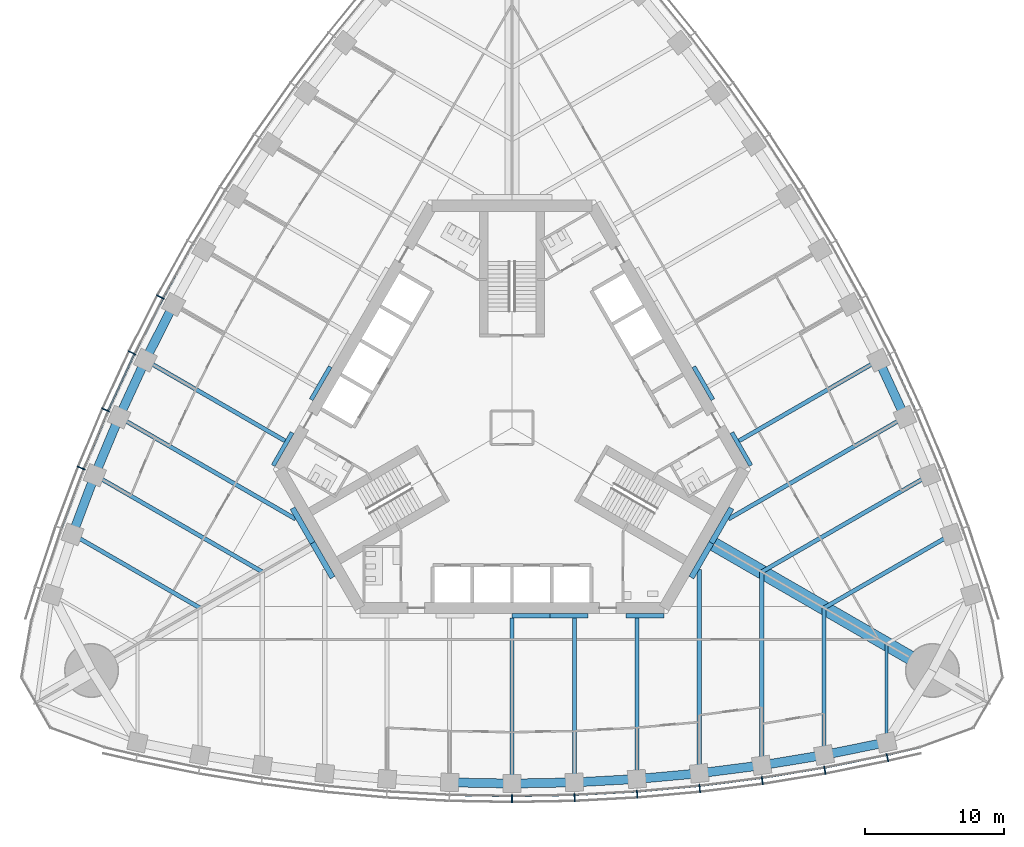
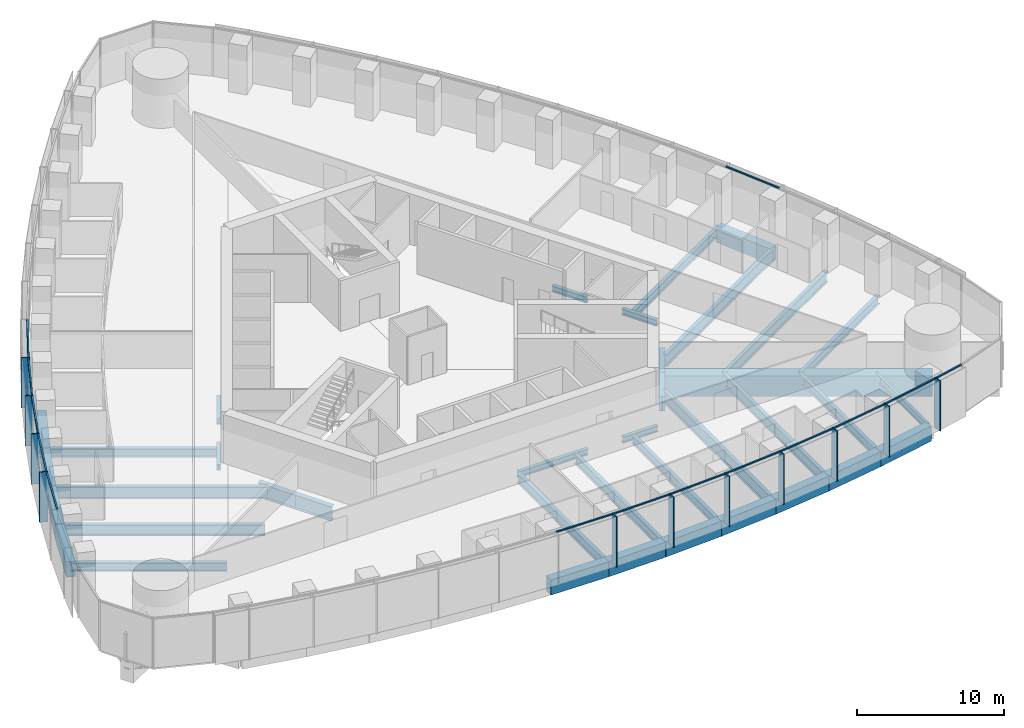
# One storey, part 3 of 19: 39 beams, 25 members, 3 elements without a shape of their own.
"""IFC4 building model written with IfcOpenShell, lengths in metres."""

from ifc_helpers import new_model, si_unit, direction, frame, origin, origin_2d, place, context, subcontext, project, spatial, rectangle, i_section, extrude, material, material_profile, profile_set, type_object, element, aggregate, save


model = new_model("IFC4")

# Units and contexts
model_context = context("Model", 3, precision=1e-05, world=origin(), true_north=direction((0.0, 1.0)))
body_context = subcontext(model_context, "Body", "Model", "MODEL_VIEW")
ifc_project = project(units=[si_unit("LENGTHUNIT", "METRE"), si_unit("AREAUNIT", "SQUARE_METRE"), si_unit("VOLUMEUNIT", "CUBIC_METRE"), si_unit("PLANEANGLEUNIT", "RADIAN"), si_unit("MASSUNIT", "GRAM", prefix="KILO")], contexts=[model_context])

# Site, building, storey
site_placement = place(None, origin())
site = spatial("IfcSite", under=ifc_project, at=site_placement, CompositionType="ELEMENT")
building_placement = place(site_placement, origin())
building = spatial("IfcBuilding", under=site, at=building_placement, Name="Trefoil Bronze Tower", CompositionType="ELEMENT")
storey_placement = place(building_placement, frame((0.0, 0.0, 132.5)))
storey = spatial("IfcBuildingStorey", under=building, at=storey_placement, Name="L30", CompositionType="ELEMENT", Elevation=132.5)

# Curtain wall, members
ifc_material_1 = material(Name="Tinted solar-control glass", Category="glass")
curtain_wall_type = type_object("IfcCurtainWallType", Name="Bronze office curtain wall", PredefinedType="USERDEFINED", material=ifc_material_1)
curtain_wall_1_placement = place(storey_placement, origin())
curtain_wall_1 = element("IfcCurtainWall", 1, at=curtain_wall_1_placement, inside=storey, type_object=curtain_wall_type, Name="CW-A L30 F1", ObjectType="CURTAIN WALL", PredefinedType="USERDEFINED")
ifc_material_2 = material(Name="Bronze-finish aluminium", Category="aluminium")
ifc_material_profile_1 = material_profile(ifc_material_2, rectangle(XDim=0.60009765625, YDim=0.080078125, at=origin_2d()), Name="CW-A mullion")
ifc_profile_set_1 = profile_set([ifc_material_profile_1], Name="Bronze-finish aluminium")
member_type_1 = type_object("IfcMemberType", Name="Bronze office curtain wall mullion", PredefinedType="MULLION", material=ifc_profile_set_1)
member_1_placement = place(storey_placement, frame((0.0, -26.749755859375, 0.0), z_axis=(0.0, 0.0, 1.0), x_axis=(0.0, 1.0, 0.0)))
member_1 = element("IfcMember", 2, at=member_1_placement, type_object=member_type_1, Name="CW-A L30 F1 mullion 8", PredefinedType="MULLION", context=body_context, shape_type="SweptSolid", body=[
    extrude(rectangle(XDim=0.60009765625, YDim=0.080078125, at=origin_2d()), origin(), (0.0, 0.0, 1.0), 4.179931640625),
])
member_2_placement = place(storey_placement, frame((4.5107421875, -26.66845703125, 0.0), z_axis=(0.0, 0.0, 1.0), x_axis=(-0.036047792107, 0.999350067136, 0.0)))
member_2 = element("IfcMember", 3, at=member_2_placement, type_object=member_type_1, Name="CW-A L30 F1 mullion 9", PredefinedType="MULLION", context=body_context, shape_type="SweptSolid", body=[
    extrude(rectangle(XDim=0.60009765625, YDim=0.080078125, at=origin_2d()), origin(), (0.0, 0.0, 1.0), 4.179931640625),
])
member_3_placement = place(storey_placement, frame((9.021728515625, -26.424072265625, 0.0), z_axis=(0.0, 0.0, 1.0), x_axis=(-0.072095676284, 0.997397720802, 0.0)))
member_3 = element("IfcMember", 4, at=member_3_placement, type_object=member_type_1, Name="CW-A L30 F1 mullion 10", PredefinedType="MULLION", context=body_context, shape_type="SweptSolid", body=[
    extrude(rectangle(XDim=0.60009765625, YDim=0.080078125, at=origin_2d()), origin(), (0.0, 0.0, 1.0), 4.179931640625),
])
member_4_placement = place(storey_placement, frame((13.532470703125, -26.01611328125, 0.0), z_axis=(0.0, 0.0, 1.0), x_axis=(-0.108143747013, 0.994135267447, 0.0)))
member_4 = element("IfcMember", 5, at=member_4_placement, type_object=member_type_1, Name="CW-A L30 F1 mullion 11", PredefinedType="MULLION", context=body_context, shape_type="SweptSolid", body=[
    extrude(rectangle(XDim=0.60009765625, YDim=0.080078125, at=origin_2d()), origin(), (0.0, 0.0, 1.0), 4.179931640625),
])
member_5_placement = place(storey_placement, frame((18.043212890625, -25.4423828125, 0.0), z_axis=(0.0, 0.0, 1.0), x_axis=(-0.144192103798, 0.989549714366, 0.0)))
member_5 = element("IfcMember", 6, at=member_5_placement, type_object=member_type_1, Name="CW-A L30 F1 mullion 12", PredefinedType="MULLION", context=body_context, shape_type="SweptSolid", body=[
    extrude(rectangle(XDim=0.60009765625, YDim=0.080078125, at=origin_2d()), origin(), (0.0, 0.0, 1.0), 4.179931640625),
])
member_6_placement = place(storey_placement, frame((22.553955078125, -24.700927734375, 0.0), z_axis=(0.0, 0.0, 1.0), x_axis=(-0.180240853954, 0.98362250613, 0.0)))
member_6 = element("IfcMember", 7, at=member_6_placement, type_object=member_type_1, Name="CW-A L30 F1 mullion 13", PredefinedType="MULLION", context=body_context, shape_type="SweptSolid", body=[
    extrude(rectangle(XDim=0.60009765625, YDim=0.080078125, at=origin_2d()), origin(), (0.0, 0.0, 1.0), 4.179931640625),
])
member_7_placement = place(storey_placement, frame((27.0634765625, -23.7890625, 0.0), z_axis=(0.0, 0.0, 1.0), x_axis=(-0.21197042503, 0.977276081214, 0.0)))
member_7 = element("IfcMember", 8, at=member_7_placement, type_object=member_type_1, Name="CW-A L30 F1 mullion 14", PredefinedType="MULLION", context=body_context, shape_type="SweptSolid", body=[
    extrude(rectangle(XDim=0.60009765625, YDim=0.080078125, at=origin_2d()), origin(), (0.0, 0.0, 1.0), 4.179931640625),
])

curtain_wall_2_placement = place(storey_placement, origin())
curtain_wall_2 = element("IfcCurtainWall", 9, at=curtain_wall_2_placement, inside=storey, type_object=curtain_wall_type, Name="CW-A L30 F3", ObjectType="CURTAIN WALL", PredefinedType="USERDEFINED")
member_8_placement = place(storey_placement, frame((-25.350830078125, 9.427734375, 0.0), z_axis=(0.0, 0.0, 1.0), x_axis=(0.883486441467, -0.468456729853, 0.0)))
member_8 = element("IfcMember", 10, at=member_8_placement, type_object=member_type_1, Name="CW-A L30 F3 mullion 9", PredefinedType="MULLION", context=body_context, shape_type="SweptSolid", body=[
    extrude(rectangle(XDim=0.60009765625, YDim=0.080078125, at=origin_2d()), origin(), (0.0, 0.0, 1.0), 4.179931640625),
])
member_9_placement = place(storey_placement, frame((-27.394775390625, 5.399169921875, 0.0), z_axis=(0.0, 0.0, 1.0), x_axis=(0.899819602033, -0.436262173236, 0.0)))
member_9 = element("IfcMember", 11, at=member_9_placement, type_object=member_type_1, Name="CW-A L30 F3 mullion 10", PredefinedType="MULLION", context=body_context, shape_type="SweptSolid", body=[
    extrude(rectangle(XDim=0.60009765625, YDim=0.080078125, at=origin_2d()), origin(), (0.0, 0.0, 1.0), 4.179931640625),
])
member_10_placement = place(storey_placement, frame((-29.296875, 1.28857421875, 0.0), z_axis=(0.0, 0.0, 1.0), x_axis=(0.915018269914, -0.40341240155, 0.0)))
member_10 = element("IfcMember", 12, at=member_10_placement, type_object=member_type_1, Name="CW-A L30 F3 mullion 11", PredefinedType="MULLION", context=body_context, shape_type="SweptSolid", body=[
    extrude(rectangle(XDim=0.60009765625, YDim=0.080078125, at=origin_2d()), origin(), (0.0, 0.0, 1.0), 4.179931640625),
])
member_11_placement = place(storey_placement, frame((-31.055419921875, -2.90478515625, 0.0), z_axis=(0.0, 0.0, 1.0), x_axis=(0.929071242848, -0.369900832269, 0.0)))
member_11 = element("IfcMember", 13, at=member_11_placement, type_object=member_type_1, Name="CW-A L30 F3 mullion 12", PredefinedType="MULLION", context=body_context, shape_type="SweptSolid", body=[
    extrude(rectangle(XDim=0.60009765625, YDim=0.080078125, at=origin_2d()), origin(), (0.0, 0.0, 1.0), 4.179931640625),
])

# Member
ifc_material_3 = material(Name="Bronze-finish aluminium", Category="aluminium")
ifc_material_profile_2 = material_profile(ifc_material_3, rectangle(XDim=0.1201171875, YDim=0.10009765625, at=origin_2d()), Name="CW-A transom")
ifc_profile_set_2 = profile_set([ifc_material_profile_2], Name="Bronze-finish aluminium")
member_type_2 = type_object("IfcMemberType", Name="Bronze office curtain wall transom", PredefinedType="USERDEFINED", material=ifc_profile_set_2)
member_12_placement = place(storey_placement, frame((-4.4619140625, -26.46923828125, 4.1298828125), z_axis=(0.999837930028, -0.018003157426, 0.0), x_axis=(0.018003157426, 0.999837930028, 0.0)))
member_12 = element("IfcMember", 14, at=member_12_placement, type_object=member_type_2, Name="CW-A L30 F1 transom 7", ObjectType="TRANSOM", PredefinedType="USERDEFINED", context=body_context, shape_type="SweptSolid", body=[
    extrude(rectangle(XDim=0.1201171875, YDim=0.10009765625, at=origin_2d()), origin(), (0.0, 0.0, 1.0), 4.4208984375),
])

member_13_placement = place(storey_placement, frame((0.041748046875, -26.548828125, 4.1298828125), z_axis=(0.999837930028, 0.018003157426, 0.0), x_axis=(-0.018003157426, 0.999837930028, 0.0)))
member_13 = element("IfcMember", 15, at=member_13_placement, type_object=member_type_2, Name="CW-A L30 F1 transom 8", ObjectType="TRANSOM", PredefinedType="USERDEFINED", context=body_context, shape_type="SweptSolid", body=[
    extrude(rectangle(XDim=0.1201171875, YDim=0.10009765625, at=origin_2d()), origin(), (0.0, 0.0, 1.0), 4.4208984375),
])

member_14_placement = place(storey_placement, frame((4.54541015625, -26.46630859375, 4.1298828125), z_axis=(0.998538253569, 0.054049571306, 0.0), x_axis=(-0.054049571306, 0.998538253569, 0.0)))
member_14 = element("IfcMember", 16, at=member_14_placement, type_object=member_type_2, Name="CW-A L30 F1 transom 9", ObjectType="TRANSOM", PredefinedType="USERDEFINED", context=body_context, shape_type="SweptSolid", body=[
    extrude(rectangle(XDim=0.1201171875, YDim=0.10009765625, at=origin_2d()), origin(), (0.0, 0.0, 1.0), 4.4267578125),
])

member_15_placement = place(storey_placement, frame((9.048828125, -26.220947265625, 4.1298828125), z_axis=(0.995932787062, 0.090099298863, 0.0), x_axis=(-0.090099298863, 0.995932787062, 0.0)))
member_15 = element("IfcMember", 17, at=member_15_placement, type_object=member_type_2, Name="CW-A L30 F1 transom 10", ObjectType="TRANSOM", PredefinedType="USERDEFINED", context=body_context, shape_type="SweptSolid", body=[
    extrude(rectangle(XDim=0.1201171875, YDim=0.10009765625, at=origin_2d()), origin(), (0.0, 0.0, 1.0), 4.4384765625),
])

member_16_placement = place(storey_placement, frame((13.55224609375, -25.81201171875, 4.1298828125), z_axis=(0.992008387848, 0.12617193998, 0.0), x_axis=(-0.12617193998, 0.992008387848, 0.0)))
member_16 = element("IfcMember", 18, at=member_16_placement, type_object=member_type_2, Name="CW-A L30 F1 transom 11", ObjectType="TRANSOM", PredefinedType="USERDEFINED", context=body_context, shape_type="SweptSolid", body=[
    extrude(rectangle(XDim=0.1201171875, YDim=0.10009765625, at=origin_2d()), origin(), (0.0, 0.0, 1.0), 4.456298828125),
])

member_17_placement = place(storey_placement, frame((18.0556640625, -25.23779296875, 4.1298828125), z_axis=(0.986755265284, 0.162216048636, 0.0), x_axis=(-0.162216048636, 0.986755265284, 0.0)))
member_17 = element("IfcMember", 19, at=member_17_placement, type_object=member_type_2, Name="CW-A L30 F1 transom 12", ObjectType="TRANSOM", PredefinedType="USERDEFINED", context=body_context, shape_type="SweptSolid", body=[
    extrude(rectangle(XDim=0.1201171875, YDim=0.10009765625, at=origin_2d()), origin(), (0.0, 0.0, 1.0), 4.48046875),
])

member_18_placement = place(storey_placement, frame((22.55908203125, -24.49609375, 4.1298828125), z_axis=(0.980153749225, 0.198238815273, 0.0), x_axis=(-0.198238815273, 0.980153749225, 0.0)))
member_18 = element("IfcMember", 20, at=member_18_placement, type_object=member_type_2, Name="CW-A L30 F1 transom 13", ObjectType="TRANSOM", PredefinedType="USERDEFINED", context=body_context, shape_type="SweptSolid", body=[
    extrude(rectangle(XDim=0.1201171875, YDim=0.10009765625, at=origin_2d()), origin(), (0.0, 0.0, 1.0), 4.51123046875),
])

member_19_placement = place(storey_placement, frame((27.0615234375, -23.584228515625, 4.1298828125), z_axis=(0.974206243495, 0.225659467196, 0.0), x_axis=(-0.225659467196, 0.974206243495, 0.0)))
member_19 = element("IfcMember", 21, at=member_19_placement, type_object=member_type_2, Name="CW-A L30 F1 transom 14", ObjectType="TRANSOM", PredefinedType="USERDEFINED", context=body_context, shape_type="SweptSolid", body=[
    extrude(rectangle(XDim=0.1201171875, YDim=0.10009765625, at=origin_2d()), origin(), (0.0, 0.0, 1.0), 2.340087890625),
])

aggregate(curtain_wall_1, [member_1, member_2, member_3, member_4, member_5, member_6, member_7, member_12, member_13, member_14, member_15, member_16, member_17, member_18, member_19])

# Curtain wall, member
curtain_wall_3_placement = place(storey_placement, origin())
curtain_wall_3 = element("IfcCurtainWall", 22, at=curtain_wall_3_placement, inside=storey, type_object=curtain_wall_type, Name="CW-A L30 F2", ObjectType="CURTAIN WALL", PredefinedType="USERDEFINED")
member_20_placement = place(storey_placement, frame((29.09619140625, 1.245849609375, 4.1298828125), z_axis=(-0.419923072198, 0.907559702409, 0.0), x_axis=(-0.907559702409, -0.419923072198, 0.0)))
member_20 = element("IfcMember", 23, at=member_20_placement, type_object=member_type_2, Name="CW-A L30 F2 transom 5", ObjectType="TRANSOM", PredefinedType="USERDEFINED", context=body_context, shape_type="SweptSolid", body=[
    extrude(rectangle(XDim=0.1201171875, YDim=0.10009765625, at=origin_2d()), origin(), (0.0, 0.0, 1.0), 4.4384765625),
])
aggregate(curtain_wall_3, [member_20])

# Member
member_21_placement = place(storey_placement, frame((-23.012939453125, 13.23828125, 4.1298828125), z_axis=(-0.484329470343, -0.874885686337, 0.0), x_axis=(0.874885686337, -0.484329470343, 0.0)))
member_21 = element("IfcMember", 24, at=member_21_placement, type_object=member_type_2, Name="CW-A L30 F3 transom 8", ObjectType="TRANSOM", PredefinedType="USERDEFINED", context=body_context, shape_type="SweptSolid", body=[
    extrude(rectangle(XDim=0.1201171875, YDim=0.10009765625, at=origin_2d()), origin(), (0.0, 0.0, 1.0), 4.4208984375),
])

member_22_placement = place(storey_placement, frame((-25.193115234375, 9.296630859375, 4.1298828125), z_axis=(-0.452478489814, -0.891775317138, 0.0), x_axis=(0.891775317138, -0.452478489814, 0.0)))
member_22 = element("IfcMember", 25, at=member_22_placement, type_object=member_type_2, Name="CW-A L30 F3 transom 9", ObjectType="TRANSOM", PredefinedType="USERDEFINED", context=body_context, shape_type="SweptSolid", body=[
    extrude(rectangle(XDim=0.1201171875, YDim=0.10009765625, at=origin_2d()), origin(), (0.0, 0.0, 1.0), 4.426513671875),
])

member_23_placement = place(storey_placement, frame((-27.232421875, 5.27392578125, 4.1298828125), z_axis=(-0.419923072198, -0.907559702409, 0.0), x_axis=(0.907559702409, -0.419923072198, 0.0)))
member_23 = element("IfcMember", 26, at=member_23_placement, type_object=member_type_2, Name="CW-A L30 F3 transom 10", ObjectType="TRANSOM", PredefinedType="USERDEFINED", context=body_context, shape_type="SweptSolid", body=[
    extrude(rectangle(XDim=0.1201171875, YDim=0.10009765625, at=origin_2d()), origin(), (0.0, 0.0, 1.0), 4.4384765625),
])

member_24_placement = place(storey_placement, frame((-29.1298828125, 1.16943359375, 4.1298828125), z_axis=(-0.386773266184, -0.922174842731, 0.0), x_axis=(0.922174842731, -0.386773266184, 0.0)))
member_24 = element("IfcMember", 27, at=member_24_placement, type_object=member_type_2, Name="CW-A L30 F3 transom 11", ObjectType="TRANSOM", PredefinedType="USERDEFINED", context=body_context, shape_type="SweptSolid", body=[
    extrude(rectangle(XDim=0.1201171875, YDim=0.10009765625, at=origin_2d()), origin(), (0.0, 0.0, 1.0), 4.45654296875),
])

member_25_placement = place(storey_placement, frame((-30.88427734375, -3.017822265625, 4.1298828125), z_axis=(-0.352932154759, -0.935648916067, 0.0), x_axis=(0.935648916067, -0.352932154759, 0.0)))
member_25 = element("IfcMember", 28, at=member_25_placement, type_object=member_type_2, Name="CW-A L30 F3 transom 12", ObjectType="TRANSOM", PredefinedType="USERDEFINED", context=body_context, shape_type="SweptSolid", body=[
    extrude(rectangle(XDim=0.1201171875, YDim=0.10009765625, at=origin_2d()), origin(), (0.0, 0.0, 1.0), 4.48046875),
])

aggregate(curtain_wall_2, [member_8, member_9, member_10, member_11, member_21, member_22, member_23, member_24, member_25])

# Beams
ifc_material_4 = material(Name="Steel C355", Category="steel")
ifc_material_profile_3 = material_profile(ifc_material_4, i_section(OverallWidth=0.300048828125, OverallDepth=0.5, WebThickness=0.014404296875, FlangeThickness=0.028076171875, FilletRadius=0.027099609375, at=origin_2d()), Name="HEB 500")
ifc_profile_set_3 = profile_set([ifc_material_profile_3], Name="Steel C355")
beam_type_1 = type_object("IfcBeamType", Name="Core seat beam HEB 500", PredefinedType="BEAM", material=ifc_profile_set_3)
for number, where, z_axis, x_axis, name in (
    (29, (0.0, -13.550048828125, -0.449951171875), (1.0, 0.0, 0.0), (0.0, 1.0, 0.0), "Core seat beam F1/+0 L30"),
    (30, (2.742431640625, -13.550048828125, -0.449951171875), (1.0, 0.0, 0.0), (0.0, 1.0, 0.0), "Core seat beam F1/+1 L30"),
    (31, (8.227294921875, -13.550048828125, -0.449951171875), (1.0, 0.0, 0.0), (0.0, 1.0, 0.0), "Core seat beam F1/+2 L30"),
    (32, (17.219482421875, -2.72509765625, -0.449951171875), (-0.500035825175, 0.866004719122, 0.0), (-0.866004719122, -0.500035825175, 0.0), "Core seat beam F2/-2 L30"),
    (33, (14.47705078125, 2.02490234375, -0.449951171875), (-0.499969057507, 0.866043267704, 0.0), (-0.866043267704, -0.499969057507, 0.0), "Core seat beam F2/-1 L30"),
    (34, (-13.10595703125, 4.39990234375, -0.449951171875), (-0.499969057507, -0.866043267704, 0.0), (0.866043267704, -0.499969057507, 0.0), "Core seat beam F3/+1 L30"),
    (35, (-15.84814453125, -0.35009765625, -0.449951171875), (-0.500035825175, -0.866004719122, 0.0), (0.866004719122, -0.500035825175, 0.0), "Core seat beam F3/+2 L30"),
):
    element("IfcBeam", number, at=place(storey_placement, frame(where, z_axis=z_axis, x_axis=x_axis)), inside=storey, type_object=beam_type_1, Name=name, PredefinedType="BEAM", context=body_context, shape_type="SweptSolid", body=[
        extrude(i_section(OverallWidth=0.300048828125, OverallDepth=0.5, WebThickness=0.014404296875, FlangeThickness=0.028076171875, FilletRadius=0.027099609375, at=origin_2d()), origin(), (0.0, 0.0, 1.0), 2.742431640625),
    ])
ifc_material_5 = material(Name="Steel C355", Category="steel")
ifc_material_profile_4 = material_profile(ifc_material_5, i_section(OverallWidth=0.39990234375, OverallDepth=1.199951171875, WebThickness=0.02001953125, FlangeThickness=0.0400390625, FilletRadius=0.010009765625, at=origin_2d()), Name="WPG 1200")
ifc_profile_set_4 = profile_set([ifc_material_profile_4], Name="Steel C355")
beam_type_2 = type_object("IfcBeamType", Name="Core seat beam WPG 1200", PredefinedType="BEAM", material=ifc_profile_set_4)
for number, where, z_axis, x_axis, name in (
    (36, (-14.3759765625, -8.300048828125, -0.800048828125), (0.499995765644, -0.866027848477, 0.0), (0.866027848477, 0.499995765644, 0.0), "Core seat beam F1/-3 L30"),
    (37, (12.9326171875, -10.800048828125, -0.800048828125), (0.499995765644, 0.866027848477, 0.0), (-0.866027848477, 0.499995765644, 0.0), "Core seat beam F1/+3 L30"),
    (38, (14.3759765625, -8.300048828125, -0.800048828125), (0.499995765644, 0.866027848477, 0.0), (-0.866027848477, 0.499995765644, 0.0), "Core seat beam F2/-3 L30"),
    (39, (-15.8193359375, -5.800048828125, -0.800048828125), (0.499995765644, -0.866027848477, 0.0), (0.866027848477, 0.499995765644, 0.0), "Core seat beam F3/+3 L30"),
):
    element("IfcBeam", number, at=place(storey_placement, frame(where, z_axis=z_axis, x_axis=x_axis)), inside=storey, type_object=beam_type_2, Name=name, PredefinedType="BEAM", context=body_context, shape_type="SweptSolid", body=[
        extrude(i_section(OverallWidth=0.39990234375, OverallDepth=1.199951171875, WebThickness=0.02001953125, FlangeThickness=0.0400390625, FilletRadius=0.010009765625, at=origin_2d()), origin(), (0.0, 0.0, 1.0), 2.88671875),
    ])
ifc_material_6 = material(Name="Concrete B80", Category="concrete")
ifc_material_profile_5 = material_profile(ifc_material_6, rectangle(XDim=1.0, YDim=1.699951171875, at=origin_2d()), Name="RC 1000x1700")
ifc_profile_set_5 = profile_set([ifc_material_profile_5], Name="Concrete B80")
beam_type_3 = type_object("IfcBeamType", Name="Corner girder RC 1000x1700", PredefinedType="BEAM", material=ifc_profile_set_5)
beam_1_placement = place(storey_placement, frame((14.202880859375, -8.199951171875, -1.050048828125), z_axis=(0.866022084834, -0.500005748546, 0.0), x_axis=(0.500005748546, 0.866022084834, 0.0)))
element("IfcBeam", 40, at=beam_1_placement, inside=storey, type_object=beam_type_3, Name="Corner girder K1 L30", PredefinedType="BEAM", context=body_context, shape_type="SweptSolid", body=[
    extrude(rectangle(XDim=1.0, YDim=1.699951171875, at=origin_2d()), origin(), (0.0, 0.0, 1.0), 18.599853515625),
])
ifc_material_7 = material(Name="Steel C355", Category="steel")
ifc_material_profile_6 = material_profile(ifc_material_7, i_section(OverallWidth=0.300048828125, OverallDepth=1.0, WebThickness=0.01904296875, FlangeThickness=0.035888671875, FilletRadius=0.030029296875, at=origin_2d()), Name="HEB 1000")
ifc_profile_set_6 = profile_set([ifc_material_profile_6], Name="Steel C355")
beam_type_4 = type_object("IfcBeamType", Name="Floor beam HEB 1000", PredefinedType="BEAM", material=ifc_profile_set_6)
for number, where, z_axis, x_axis, name in (
    (41, (13.5, -24.9130859375, -0.699951171875), (0.0, 1.0, 0.0), (-1.0, 0.0, 0.0), "Floor beam F1/+3 L30"),
    (42, (28.325439453125, 0.76513671875, -0.699951171875), (-0.866027342682, -0.499996641717, 0.0), (0.499996641717, -0.866027342682, 0.0), "Floor beam F2/-3 L30"),
    (43, (-28.325439453125, 0.76513671875, -0.699951171875), (0.866027342682, -0.499996641717, 0.0), (0.499996641717, 0.866027342682, 0.0), "Floor beam F3/+3 L30"),
):
    element("IfcBeam", number, at=place(storey_placement, frame(where, z_axis=z_axis, x_axis=x_axis)), inside=storey, type_object=beam_type_4, Name=name, PredefinedType="BEAM", context=body_context, shape_type="SweptSolid", body=[
        extrude(i_section(OverallWidth=0.300048828125, OverallDepth=1.0, WebThickness=0.01904296875, FlangeThickness=0.035888671875, FilletRadius=0.030029296875, at=origin_2d()), origin(), (0.0, 0.0, 1.0), 14.69580078125),
    ])
ifc_material_8 = material(Name="Steel C355", Category="steel")
ifc_material_profile_7 = material_profile(ifc_material_8, i_section(OverallWidth=0.300048828125, OverallDepth=0.699951171875, WebThickness=0.01708984375, FlangeThickness=0.031982421875, FilletRadius=0.027099609375, at=origin_2d()), Name="HEB 700")
ifc_profile_set_7 = profile_set([ifc_material_profile_7], Name="Steel C355")
beam_type_5 = type_object("IfcBeamType", Name="Floor beam HEB 700", PredefinedType="BEAM", material=ifc_profile_set_7)
beam_2_placement = place(storey_placement, frame((9.0, -25.32275390625, -0.550048828125), z_axis=(0.0, 1.0, 0.0), x_axis=(-1.0, 0.0, 0.0)))
element("IfcBeam", 44, at=beam_2_placement, inside=storey, type_object=beam_type_5, Name="Floor beam F1/+2 L30", PredefinedType="BEAM", context=body_context, shape_type="SweptSolid", body=[
    extrude(i_section(OverallWidth=0.300048828125, OverallDepth=0.699951171875, WebThickness=0.01708984375, FlangeThickness=0.031982421875, FilletRadius=0.027099609375, at=origin_2d()), origin(), (0.0, 0.0, 1.0), 11.622802734375),
])
beam_3_placement = place(storey_placement, frame((22.5, -23.592529296875, -0.550048828125), z_axis=(0.0, 1.0, 0.0), x_axis=(-1.0, 0.0, 0.0)))
element("IfcBeam", 45, at=beam_3_placement, inside=storey, type_object=beam_type_5, Name="Floor beam F1/+5 L30", PredefinedType="BEAM", context=body_context, shape_type="SweptSolid", body=[
    extrude(i_section(OverallWidth=0.300048828125, OverallDepth=0.699951171875, WebThickness=0.01708984375, FlangeThickness=0.031982421875, FilletRadius=0.027099609375, at=origin_2d()), origin(), (0.0, 0.0, 1.0), 10.60205078125),
])
beam_4_placement = place(storey_placement, frame((31.681884765625, -7.689208984375, -0.550048828125), z_axis=(-0.866021079084, -0.500007490527, 0.0), x_axis=(0.500007490527, -0.866021079084, 0.0)))
element("IfcBeam", 46, at=beam_4_placement, inside=storey, type_object=beam_type_5, Name="Floor beam F2/-5 L30", PredefinedType="BEAM", context=body_context, shape_type="SweptSolid", body=[
    extrude(i_section(OverallWidth=0.300048828125, OverallDepth=0.699951171875, WebThickness=0.01708984375, FlangeThickness=0.031982421875, FilletRadius=0.027099609375, at=origin_2d()), origin(), (0.0, 0.0, 1.0), 10.602294921875),
])
for number, where, z_axis, x_axis, name in (
    (47, (26.43017578125, 4.8671875, -0.550048828125), (-0.866021531335, -0.500006707218, 0.0), (0.500006707218, -0.866021531335, 0.0), "Floor beam F2/-2 L30"),
    (48, (-26.43017578125, 4.8671875, -0.550048828125), (0.866021531335, -0.500006707218, 0.0), (0.500006707218, 0.866021531335, 0.0), "Floor beam F3/+2 L30"),
):
    element("IfcBeam", number, at=place(storey_placement, frame(where, z_axis=z_axis, x_axis=x_axis)), inside=storey, type_object=beam_type_5, Name=name, PredefinedType="BEAM", context=body_context, shape_type="SweptSolid", body=[
        extrude(i_section(OverallWidth=0.300048828125, OverallDepth=0.699951171875, WebThickness=0.01708984375, FlangeThickness=0.031982421875, FilletRadius=0.027099609375, at=origin_2d()), origin(), (0.0, 0.0, 1.0), 11.622802734375),
    ])
beam_5_placement = place(storey_placement, frame((-31.681884765625, -7.689208984375, -0.550048828125), z_axis=(0.866021079084, -0.500007490527, 0.0), x_axis=(0.500007490527, 0.866021079084, 0.0)))
element("IfcBeam", 49, at=beam_5_placement, inside=storey, type_object=beam_type_5, Name="Floor beam F3/+5 L30", PredefinedType="BEAM", context=body_context, shape_type="SweptSolid", body=[
    extrude(i_section(OverallWidth=0.300048828125, OverallDepth=0.699951171875, WebThickness=0.01708984375, FlangeThickness=0.031982421875, FilletRadius=0.027099609375, at=origin_2d()), origin(), (0.0, 0.0, 1.0), 10.602294921875),
])
ifc_material_9 = material(Name="Steel C355", Category="steel")
ifc_material_profile_8 = material_profile(ifc_material_9, i_section(OverallWidth=0.300048828125, OverallDepth=0.800048828125, WebThickness=0.017578125, FlangeThickness=0.032958984375, FilletRadius=0.030029296875, at=origin_2d()), Name="HEB 800")
ifc_profile_set_8 = profile_set([ifc_material_profile_8], Name="Steel C355")
beam_type_6 = type_object("IfcBeamType", Name="Floor beam HEB 800", PredefinedType="BEAM", material=ifc_profile_set_8)
beam_6_placement = place(storey_placement, frame((0.0, -25.649658203125, -0.60009765625), z_axis=(0.0, 1.0, 0.0), x_axis=(-1.0, 0.0, 0.0)))
element("IfcBeam", 50, at=beam_6_placement, inside=storey, type_object=beam_type_6, Name="Floor beam F1/+0 L30", PredefinedType="BEAM", context=body_context, shape_type="SweptSolid", body=[
    extrude(i_section(OverallWidth=0.300048828125, OverallDepth=0.800048828125, WebThickness=0.017578125, FlangeThickness=0.032958984375, FilletRadius=0.030029296875, at=origin_2d()), origin(), (0.0, 0.0, 1.0), 11.94970703125),
])
beam_7_placement = place(storey_placement, frame((4.5, -25.568115234375, -0.60009765625), z_axis=(0.0, 1.0, 0.0), x_axis=(-1.0, 0.0, 0.0)))
element("IfcBeam", 51, at=beam_7_placement, inside=storey, type_object=beam_type_6, Name="Floor beam F1/+1 L30", PredefinedType="BEAM", context=body_context, shape_type="SweptSolid", body=[
    extrude(i_section(OverallWidth=0.300048828125, OverallDepth=0.800048828125, WebThickness=0.017578125, FlangeThickness=0.032958984375, FilletRadius=0.030029296875, at=origin_2d()), origin(), (0.0, 0.0, 1.0), 11.8681640625),
])
ifc_material_10 = material(Name="Steel C355", Category="steel")
ifc_material_profile_9 = material_profile(ifc_material_10, i_section(OverallWidth=0.300048828125, OverallDepth=0.89990234375, WebThickness=0.0185546875, FlangeThickness=0.034912109375, FilletRadius=0.030029296875, at=origin_2d()), Name="HEB 900")
ifc_profile_set_9 = profile_set([ifc_material_profile_9], Name="Steel C355")
beam_type_7 = type_object("IfcBeamType", Name="Floor beam HEB 900", PredefinedType="BEAM", material=ifc_profile_set_9)
for number, where, z_axis, x_axis, name in (
    (52, (18.0, -24.337158203125, -0.64990234375), (0.0, 1.0, 0.0), (-1.0, 0.0, 0.0), "Floor beam F1/+4 L30"),
    (53, (30.07666015625, -3.419921875, -0.64990234375), (-0.866026983775, -0.499997263366, 0.0), (0.499997263366, -0.866026983775, 0.0), "Floor beam F2/-4 L30"),
    (54, (-30.07666015625, -3.419921875, -0.64990234375), (0.866026983775, -0.499997263366, 0.0), (0.499997263366, 0.866026983775, 0.0), "Floor beam F3/+4 L30"),
):
    element("IfcBeam", number, at=place(storey_placement, frame(where, z_axis=z_axis, x_axis=x_axis)), inside=storey, type_object=beam_type_7, Name=name, PredefinedType="BEAM", context=body_context, shape_type="SweptSolid", body=[
        extrude(i_section(OverallWidth=0.300048828125, OverallDepth=0.89990234375, WebThickness=0.0185546875, FlangeThickness=0.034912109375, FilletRadius=0.030029296875, at=origin_2d()), origin(), (0.0, 0.0, 1.0), 13.94482421875),
    ])
ifc_material_11 = material(Name="Steel C355", Category="steel")
ifc_material_profile_10 = material_profile(ifc_material_11, i_section(OverallWidth=0.219970703125, OverallDepth=0.60009765625, WebThickness=0.011962890625, FlangeThickness=0.01904296875, FilletRadius=0.02392578125, at=origin_2d()), Name="IPE 600")
ifc_profile_set_10 = profile_set([ifc_material_profile_10], Name="Steel C355")
beam_type_8 = type_object("IfcBeamType", Name="Floor beam IPE 600", PredefinedType="BEAM", material=ifc_profile_set_10)
beam_8_placement = place(storey_placement, frame((27.0, -22.67724609375, -0.5), z_axis=(0.0, 1.0, 0.0), x_axis=(-1.0, 0.0, 0.0)))
element("IfcBeam", 55, at=beam_8_placement, inside=storey, type_object=beam_type_8, Name="Floor beam F1/+6 L30", PredefinedType="BEAM", context=body_context, shape_type="SweptSolid", body=[
    extrude(i_section(OverallWidth=0.219970703125, OverallDepth=0.60009765625, WebThickness=0.011962890625, FlangeThickness=0.01904296875, FilletRadius=0.02392578125, at=origin_2d()), origin(), (0.0, 0.0, 1.0), 7.0888671875),
])
ifc_material_12 = material(Name="Concrete B80", Category="concrete")
ifc_material_profile_11 = material_profile(ifc_material_12, rectangle(XDim=0.64990234375, YDim=1.25, at=origin_2d()), Name="RC 650x1250")
ifc_profile_set_11 = profile_set([ifc_material_profile_11], Name="Concrete B80")
beam_type_9 = type_object("IfcBeamType", Name="Spandrel beam RC 650x1250", PredefinedType="SPANDREL", material=ifc_profile_set_11)
for number, where, z_axis, x_axis, name in (
    (56, (-4.5, -25.568115234375, -0.824951171875), (0.999835861267, -0.01811768542, 0.0), (0.01811768542, 0.999835861267, 0.0), "Spandrel F1.7 L30"),
    (57, (0.0, -25.649658203125, -0.824951171875), (0.999835861267, 0.01811768542, 0.0), (-0.01811768542, 0.999835861267, 0.0), "Spandrel F1.8 L30"),
):
    element("IfcBeam", number, at=place(storey_placement, frame(where, z_axis=z_axis, x_axis=x_axis)), inside=storey, type_object=beam_type_9, Name=name, PredefinedType="SPANDREL", context=body_context, shape_type="SweptSolid", body=[
        extrude(rectangle(XDim=0.64990234375, YDim=1.25, at=origin_2d()), origin(), (0.0, 0.0, 1.0), 4.500732421875),
    ])
beam_9_placement = place(storey_placement, frame((4.5, -25.568115234375, -0.824951171875), z_axis=(0.998516832602, 0.054443870267, 0.0), x_axis=(-0.054443870267, 0.998516832602, 0.0)))
element("IfcBeam", 58, at=beam_9_placement, inside=storey, type_object=beam_type_9, Name="Spandrel F1.9 L30", PredefinedType="SPANDREL", context=body_context, shape_type="SweptSolid", body=[
    extrude(rectangle(XDim=0.64990234375, YDim=1.25, at=origin_2d()), origin(), (0.0, 0.0, 1.0), 4.506591796875),
])
beam_10_placement = place(storey_placement, frame((9.0, -25.32275390625, -0.824951171875), z_axis=(0.995881683815, 0.090662405894, 0.0), x_axis=(-0.090662405894, 0.995881683815, 0.0)))
element("IfcBeam", 59, at=beam_10_placement, inside=storey, type_object=beam_type_9, Name="Spandrel F1.10 L30", PredefinedType="SPANDREL", context=body_context, shape_type="SweptSolid", body=[
    extrude(rectangle(XDim=0.64990234375, YDim=1.25, at=origin_2d()), origin(), (0.0, 0.0, 1.0), 4.5185546875),
])
beam_11_placement = place(storey_placement, frame((13.5, -24.9130859375, -0.824951171875), z_axis=(0.991909314257, 0.126948463126, 0.0), x_axis=(-0.126948463126, 0.991909314257, 0.0)))
element("IfcBeam", 60, at=beam_11_placement, inside=storey, type_object=beam_type_9, Name="Spandrel F1.11 L30", PredefinedType="SPANDREL", context=body_context, shape_type="SweptSolid", body=[
    extrude(rectangle(XDim=0.64990234375, YDim=1.25, at=origin_2d()), origin(), (0.0, 0.0, 1.0), 4.53662109375),
])
beam_12_placement = place(storey_placement, frame((18.0, -24.337158203125, -0.824951171875), z_axis=(0.986584214684, 0.163253138823, 0.0), x_axis=(-0.163253138823, 0.986584214684, 0.0)))
element("IfcBeam", 61, at=beam_12_placement, inside=storey, type_object=beam_type_9, Name="Spandrel F1.12 L30", PredefinedType="SPANDREL", context=body_context, shape_type="SweptSolid", body=[
    extrude(rectangle(XDim=0.64990234375, YDim=1.25, at=origin_2d()), origin(), (0.0, 0.0, 1.0), 4.561279296875),
])
beam_13_placement = place(storey_placement, frame((22.5, -23.592529296875, -0.824951171875), z_axis=(0.979935430296, 0.199315208777, 0.0), x_axis=(-0.199315208777, 0.979935430296, 0.0)))
element("IfcBeam", 62, at=beam_13_placement, inside=storey, type_object=beam_type_9, Name="Spandrel F1.13 L30", PredefinedType="SPANDREL", context=body_context, shape_type="SweptSolid", body=[
    extrude(rectangle(XDim=0.64990234375, YDim=1.25, at=origin_2d()), origin(), (0.0, 0.0, 1.0), 4.592041015625),
])
beam_14_placement = place(storey_placement, frame((28.325439453125, 0.76513671875, -0.824951171875), z_axis=(-0.419424747755, 0.907790108434, 0.0), x_axis=(-0.907790108434, -0.419424747755, 0.0)))
element("IfcBeam", 63, at=beam_14_placement, inside=storey, type_object=beam_type_9, Name="Spandrel F2.5 L30", PredefinedType="SPANDREL", context=body_context, shape_type="SweptSolid", body=[
    extrude(rectangle(XDim=0.64990234375, YDim=1.25, at=origin_2d()), origin(), (0.0, 0.0, 1.0), 4.518798828125),
])
beam_15_placement = place(storey_placement, frame((-24.392578125, 8.886962890625, -0.824951171875), z_axis=(-0.452125717735, -0.891954222683, 0.0), x_axis=(0.891954222683, -0.452125717735, 0.0)))
element("IfcBeam", 64, at=beam_15_placement, inside=storey, type_object=beam_type_9, Name="Spandrel F3.9 L30", PredefinedType="SPANDREL", context=body_context, shape_type="SweptSolid", body=[
    extrude(rectangle(XDim=0.64990234375, YDim=1.25, at=origin_2d()), origin(), (0.0, 0.0, 1.0), 4.506591796875),
])
beam_16_placement = place(storey_placement, frame((-26.43017578125, 4.8671875, -0.824951171875), z_axis=(-0.419424747755, -0.907790108434, 0.0), x_axis=(0.907790108434, -0.419424747755, 0.0)))
element("IfcBeam", 65, at=beam_16_placement, inside=storey, type_object=beam_type_9, Name="Spandrel F3.10 L30", PredefinedType="SPANDREL", context=body_context, shape_type="SweptSolid", body=[
    extrude(rectangle(XDim=0.64990234375, YDim=1.25, at=origin_2d()), origin(), (0.0, 0.0, 1.0), 4.518798828125),
])
beam_17_placement = place(storey_placement, frame((-28.325439453125, 0.76513671875, -0.824951171875), z_axis=(-0.386013490858, -0.922493135408, 0.0), x_axis=(0.922493135408, -0.386013490858, 0.0)))
element("IfcBeam", 66, at=beam_17_placement, inside=storey, type_object=beam_type_9, Name="Spandrel F3.11 L30", PredefinedType="SPANDREL", context=body_context, shape_type="SweptSolid", body=[
    extrude(rectangle(XDim=0.64990234375, YDim=1.25, at=origin_2d()), origin(), (0.0, 0.0, 1.0), 4.53662109375),
])
beam_18_placement = place(storey_placement, frame((-30.07666015625, -3.419921875, -0.824951171875), z_axis=(-0.351938675523, -0.936023059904, 0.0), x_axis=(0.936023059904, -0.351938675523, 0.0)))
element("IfcBeam", 67, at=beam_18_placement, inside=storey, type_object=beam_type_9, Name="Spandrel F3.12 L30", PredefinedType="SPANDREL", context=body_context, shape_type="SweptSolid", body=[
    extrude(rectangle(XDim=0.64990234375, YDim=1.25, at=origin_2d()), origin(), (0.0, 0.0, 1.0), 4.56103515625),
])

save(model, "model.ifc")
